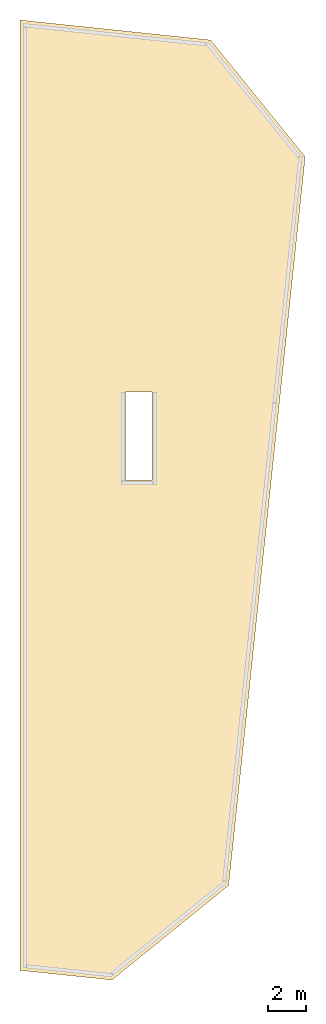
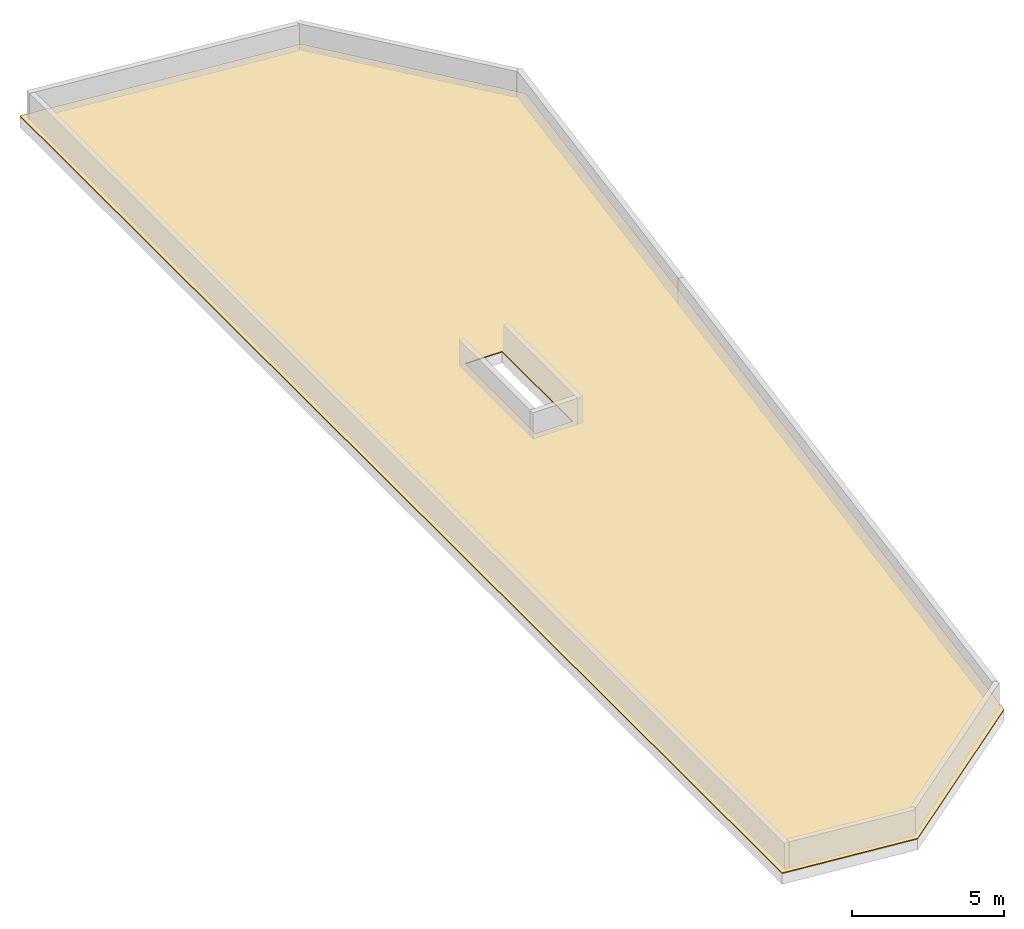
# One storey, part 2 of 2: 1 covering.
"""IFC4 building model written with IfcOpenShell, lengths in metres."""

from ifc_helpers import new_model, si_unit, direction, frame, origin, place, context, subcontext, project, spatial, polyline, outline, extrude, material, layer, layer_set, type_object, element, save


model = new_model("IFC4")

# Units and contexts
model_context = context("Model", 3, precision=1e-05, world=origin(), true_north=direction((0.0, 1.0)))
body_context = subcontext(model_context, "Body", "Model", "MODEL_VIEW")
ifc_project = project(units=[si_unit("LENGTHUNIT", "METRE"), si_unit("AREAUNIT", "SQUARE_METRE"), si_unit("VOLUMEUNIT", "CUBIC_METRE"), si_unit("PLANEANGLEUNIT", "RADIAN"), si_unit("MASSUNIT", "GRAM", prefix="KILO")], contexts=[model_context])

# Site, building, storey
site_placement = place(None, origin())
site = spatial("IfcSite", under=ifc_project, at=site_placement, CompositionType="ELEMENT")
building_placement = place(site_placement, origin())
building = spatial("IfcBuilding", under=site, at=building_placement, Name="Millrace Tower", CompositionType="ELEMENT")
storey_placement = place(building_placement, frame((0.0, 0.0, 368.39990234375)))
storey = spatial("IfcBuildingStorey", under=building, at=storey_placement, Name="ROOF-2", CompositionType="ELEMENT", Elevation=368.39990234375)

# Covering
ifc_material = material(Name="Bituminous roofing membrane on rigid insulation")
ifc_layer = layer(ifc_material, 0.0400390625)
ifc_layer_set = layer_set([ifc_layer], Name="Bituminous roofing membrane on rigid insulation")
covering_type = type_object("IfcCoveringType", Name="Roofing membrane and insulation 40 mm", PredefinedType="ROOFING", material=ifc_layer_set)
covering_placement = place(storey_placement, frame((0.0, 0.0, 0.1201171875)))
element("IfcCovering", 1, at=covering_placement, inside=storey, type_object=covering_type, Name="Roofing membrane and insulation, crown cap E", PredefinedType="ROOFING", context=body_context, shape_type="SweptSolid", body=[
    extrude(outline(polyline([(16.862548828125, -22.5390625), (23.037109375, -17.5390625), (25.705810546875, 7.85302734375), (27.089111328125, 21.0126953125), (22.089111328125, 27.18701171875), (12.0, 28.24755859375), (12.0, -22.02783203125), (16.862548828125, -22.5390625)]), holes=[polyline([(17.593017578125, 3.922119140625), (18.9931640625, 3.922119140625), (18.9931640625, 8.562255859375), (17.593017578125, 8.562255859375), (17.593017578125, 3.922119140625)])]), origin(), (0.0, 0.0, 1.0), 0.0400390625),
])

save(model, "model.ifc")
